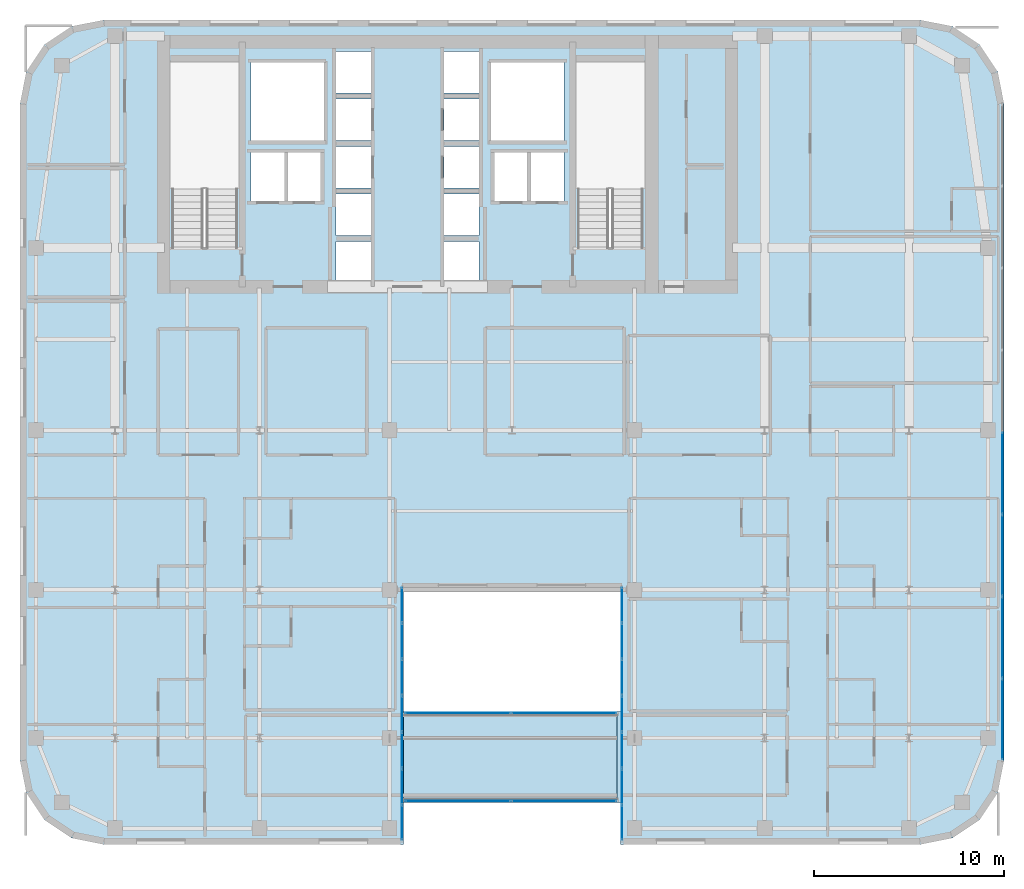
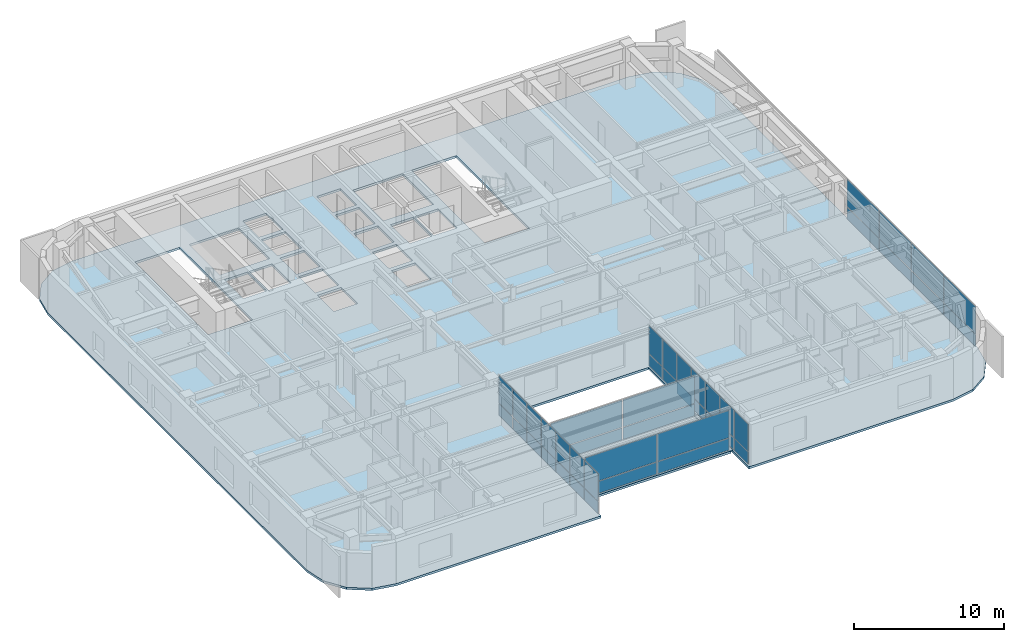
# One storey, part 11 of 20: 45 plates, 2 slabs, 5 elements without a shape of their own.
"""IFC4 building model written with IfcOpenShell, lengths in metres."""

from ifc_helpers import new_model, si_unit, direction, frame, origin, origin_2d, place, context, subcontext, project, spatial, polyline, rectangle, outline, extrude, source, transform, mapped, material, layer, layer_set, type_object, type_shapes, element, aggregate, save


model = new_model("IFC4")

# Units and contexts
model_context = context("Model", 3, precision=1e-05, world=origin(), true_north=direction((0.0, 1.0)))
body_context = subcontext(model_context, "Body", "Model", "MODEL_VIEW")
ifc_project = project(units=[si_unit("LENGTHUNIT", "METRE"), si_unit("AREAUNIT", "SQUARE_METRE"), si_unit("VOLUMEUNIT", "CUBIC_METRE"), si_unit("PLANEANGLEUNIT", "RADIAN"), si_unit("MASSUNIT", "GRAM", prefix="KILO")], contexts=[model_context])

# Site, building, storey
site_placement = place(None, origin())
site = spatial("IfcSite", under=ifc_project, at=site_placement, CompositionType="ELEMENT")
building_placement = place(site_placement, origin())
building = spatial("IfcBuilding", under=site, at=building_placement, Name="Tolvann Quenvar Hotel", CompositionType="ELEMENT")
storey_placement = place(building_placement, frame((0.0, 0.0, 171.89990234375)))
storey = spatial("IfcBuildingStorey", under=building, at=storey_placement, Name="L45", CompositionType="ELEMENT", Elevation=171.89990234375)

# Slabs
ifc_material_1 = material(Name="Concrete N40 (40 MPa)", Category="concrete")
ifc_layer_1 = layer(ifc_material_1, 0.179931640625)
ifc_layer_set_1 = layer_set([ifc_layer_1], Name="Concrete N40 (40 MPa)")
slab_type = type_object("IfcSlabType", Name="SLAB_TWR_180", PredefinedType="FLOOR", material=ifc_layer_set_1)
slab_1_placement = place(storey_placement, frame((0.0, 0.0, -0.179931640625)))
element("IfcSlab", 1, at=slab_1_placement, inside=storey, type_object=slab_type, Name="Level L45 Structural Floor Slab", PredefinedType="FLOOR", context=body_context, shape_type="SweptSolid", body=[
    extrude(outline(polyline([(2.60009765625, 7.0), (2.934814453125, 5.316162109375), (3.888671875, 3.888671875), (5.316162109375, 2.934814453125), (7.0, 2.60009765625), (22.800048828125, 2.60009765625), (22.800048828125, 16.0), (34.199951171875, 16.0), (34.199951171875, 2.60009765625), (50.0, 2.60009765625), (51.683837890625, 2.934814453125), (53.111328125, 3.888671875), (54.065185546875, 5.316162109375), (54.39990234375, 7.0), (54.39990234375, 41.60009765625), (54.065185546875, 43.28369140625), (53.111328125, 44.711181640625), (51.683837890625, 45.6650390625), (50.0, 46.0), (7.0, 46.0), (5.316162109375, 45.6650390625), (3.888671875, 44.711181640625), (2.934814453125, 43.28369140625), (2.60009765625, 41.60009765625), (2.60009765625, 7.0)]), holes=[polyline([(31.949951171875, 34.02490234375), (31.949951171875, 43.800048828125), (35.39990234375, 43.800048828125), (35.39990234375, 34.02490234375), (31.949951171875, 34.02490234375)]), polyline([(29.449951171875, 39.02001953125), (31.25, 39.02001953125), (31.25, 36.47998046875), (29.449951171875, 36.47998046875), (29.449951171875, 39.02001953125)]), polyline([(31.25, 43.75), (31.25, 39.64990234375), (27.39990234375, 39.64990234375), (27.39990234375, 43.75), (31.25, 43.75)]), polyline([(27.574951171875, 39.02001953125), (29.324951171875, 39.02001953125), (29.324951171875, 36.47998046875), (27.574951171875, 36.47998046875), (27.574951171875, 39.02001953125)]), polyline([(26.77001953125, 44.340087890625), (26.77001953125, 42.159912109375), (24.929931640625, 42.159912109375), (24.929931640625, 44.340087890625), (26.77001953125, 44.340087890625)]), polyline([(24.929931640625, 41.840087890625), (26.77001953125, 41.840087890625), (26.77001953125, 39.659912109375), (24.929931640625, 39.659912109375), (24.929931640625, 41.840087890625)]), polyline([(24.929931640625, 39.340087890625), (26.77001953125, 39.340087890625), (26.77001953125, 37.159912109375), (24.929931640625, 37.159912109375), (24.929931640625, 39.340087890625)]), polyline([(24.929931640625, 36.840087890625), (26.77001953125, 36.840087890625), (26.77001953125, 34.659912109375), (24.929931640625, 34.659912109375), (24.929931640625, 36.840087890625)]), polyline([(24.929931640625, 34.340087890625), (26.77001953125, 34.340087890625), (26.77001953125, 32.159912109375), (24.929931640625, 32.159912109375), (24.929931640625, 34.340087890625)]), polyline([(21.070068359375, 44.340087890625), (21.070068359375, 42.159912109375), (19.22998046875, 42.159912109375), (19.22998046875, 44.340087890625), (21.070068359375, 44.340087890625)]), polyline([(19.22998046875, 41.840087890625), (21.070068359375, 41.840087890625), (21.070068359375, 39.659912109375), (19.22998046875, 39.659912109375), (19.22998046875, 41.840087890625)]), polyline([(19.22998046875, 39.340087890625), (21.070068359375, 39.340087890625), (21.070068359375, 37.159912109375), (19.22998046875, 37.159912109375), (19.22998046875, 39.340087890625)]), polyline([(19.22998046875, 36.840087890625), (21.070068359375, 36.840087890625), (21.070068359375, 34.659912109375), (19.22998046875, 34.659912109375), (19.22998046875, 36.840087890625)]), polyline([(19.22998046875, 34.340087890625), (21.070068359375, 34.340087890625), (21.070068359375, 32.159912109375), (19.22998046875, 32.159912109375), (19.22998046875, 34.340087890625)]), polyline([(18.60009765625, 43.75), (18.60009765625, 39.64990234375), (14.75, 39.64990234375), (14.75, 43.75), (18.60009765625, 43.75)]), polyline([(16.675048828125, 39.02001953125), (18.425048828125, 39.02001953125), (18.425048828125, 36.47998046875), (16.675048828125, 36.47998046875), (16.675048828125, 39.02001953125)]), polyline([(14.75, 39.02001953125), (16.550048828125, 39.02001953125), (16.550048828125, 36.47998046875), (14.75, 36.47998046875), (14.75, 39.02001953125)]), polyline([(10.60009765625, 34.02490234375), (10.60009765625, 43.800048828125), (14.050048828125, 43.800048828125), (14.050048828125, 34.02490234375), (10.60009765625, 34.02490234375)])]), origin(), (0.0, 0.0, 1.0), 0.179931640625),
])
slab_2_placement = place(storey_placement, frame((0.0, 0.0, -0.179931640625)))
element("IfcSlab", 2, at=slab_2_placement, inside=storey, type_object=slab_type, Name="Level L45 Skybridge Deck Slab", PredefinedType="FLOOR", context=body_context, shape_type="SweptSolid", body=[
    extrude(outline(polyline([(22.800048828125, 4.800048828125), (34.080078125, 4.800048828125), (34.080078125, 9.60009765625), (22.800048828125, 9.60009765625), (22.800048828125, 4.800048828125)])), origin(), (0.0, 0.0, 1.0), 0.179931640625),
])

# Plate
ifc_material_2 = material(Name="Steel Grade 350", Category="steel")
ifc_layer_2 = layer(ifc_material_2, 0.02490234375)
ifc_layer_set_2 = layer_set([ifc_layer_2], Name="Steel Grade 350")
plate_type_1 = type_object("IfcPlateType", Name="PLT_MJ_4800", PredefinedType="SHEET", material=ifc_layer_set_2)
shared_shape_1 = source(origin(), body_context, "Body", "SweptSolid", [
    extrude(rectangle(XDim=0.239990234375, YDim=4.800048828125, at=origin_2d()), origin(), (0.0, 0.0, 1.0), 0.02490234375),
])
type_shapes(plate_type_1, [shared_shape_1])
plate_1_placement = place(storey_placement, frame((34.139892578125, 7.199951171875, -0.02490234375), z_axis=(0.0, 0.0, 1.0), x_axis=(1.0, 0.0, 0.0)))
element("IfcPlate", 3, at=plate_1_placement, inside=storey, type_object=plate_type_1, Name="Skybridge Seismic Movement Joint Cover Plate (L45)", PredefinedType="SHEET", context=body_context, shape_type="MappedRepresentation", body=[
    mapped(shared_shape_1, transform((0.0, 0.0, 0.0), x_axis=(1.0, 0.0, 0.0), y_axis=(0.0, 1.0, 0.0), z_axis=(0.0, 0.0, 1.0), scale=1.0)),
])

# Curtain wall, plates
ifc_material_3 = material(Name="Thermally broken anodised architectural aluminium 6063-T6 and laminated low-E glass", Category="aluminium")
ifc_layer_3 = layer(ifc_material_3, 0.179931640625)
ifc_layer_set_3 = layer_set([ifc_layer_3], Name="Thermally broken anodised architectural aluminium 6063-T6 and laminated low-E glass")
curtain_wall_type_1 = type_object("IfcCurtainWallType", Name="CW_SYS_SLOT_03", PredefinedType="USERDEFINED", material=ifc_layer_set_3)
curtain_wall_1_placement = place(storey_placement, origin())
curtain_wall_1 = element("IfcCurtainWall", 4, at=curtain_wall_1_placement, inside=storey, type_object=curtain_wall_type_1, Name="Curtain Wall CW-SLOT-03 (CWR-L45-E05)", ObjectType="UNITISED CURTAIN WALL", PredefinedType="USERDEFINED")
ifc_material_4 = material(Name="Low-iron laminated double glazing with solar-control coating", Category="glass")
ifc_layer_4 = layer(ifc_material_4, 0.028076171875)
ifc_layer_set_4 = layer_set([ifc_layer_4], Name="Low-iron laminated double glazing with solar-control coating")
plate_type_2 = type_object("IfcPlateType", Name="CW_PAN_VISION_28", PredefinedType="CURTAIN_PANEL", material=ifc_layer_set_4)
shared_shape_2 = source(origin(), body_context, "Body", "SweptSolid", [
    extrude(rectangle(XDim=1.809326171875, YDim=0.028076171875, at=origin_2d()), origin(), (0.0, 0.0, 1.0), 0.9599609375),
])
plate_2_placement = place(storey_placement, frame((22.7099609375, 3.749755859375, 0.06005859375), z_axis=(0.0, 0.0, 1.0), x_axis=(0.0, 1.0, 0.0)))
plate_2 = element("IfcPlate", 5, at=plate_2_placement, type_object=plate_type_2, Name="CW-SLOT-03 panel 1.1", PredefinedType="CURTAIN_PANEL", context=body_context, shape_type="MappedRepresentation", body=[
    mapped(shared_shape_2, transform((0.0, 0.0, 0.0), x_axis=(1.0, 0.0, 0.0), y_axis=(0.0, 1.0, 0.0), z_axis=(0.0, 0.0, 1.0), scale=1.0)),
])
plate_3_placement = place(storey_placement, frame((22.7099609375, 15.200439453125, 0.06005859375), z_axis=(0.0, 0.0, 1.0), x_axis=(0.0, 1.0, 0.0)))
plate_3 = element("IfcPlate", 6, at=plate_3_placement, type_object=plate_type_2, Name="CW-SLOT-03 panel 7.1", PredefinedType="CURTAIN_PANEL", context=body_context, shape_type="MappedRepresentation", body=[
    mapped(shared_shape_2, transform((0.0, 0.0, 0.0), x_axis=(1.0, 0.0, 0.0), y_axis=(0.0, 1.0, 0.0), z_axis=(0.0, 0.0, 1.0), scale=1.0)),
])

curtain_wall_2_placement = place(storey_placement, origin())
curtain_wall_2 = element("IfcCurtainWall", 7, at=curtain_wall_2_placement, inside=storey, type_object=curtain_wall_type_1, Name="Curtain Wall CW-SLOT-03 (CWR-L45-E07)", ObjectType="UNITISED CURTAIN WALL", PredefinedType="USERDEFINED")
plate_4_placement = place(storey_placement, frame((34.2900390625, 15.200439453125, 0.06005859375), z_axis=(0.0, 0.0, 1.0), x_axis=(0.0, -1.0, 0.0)))
plate_4 = element("IfcPlate", 8, at=plate_4_placement, type_object=plate_type_2, Name="CW-SLOT-03 panel 1.1", PredefinedType="CURTAIN_PANEL", context=body_context, shape_type="MappedRepresentation", body=[
    mapped(shared_shape_2, transform((0.0, 0.0, 0.0), x_axis=(1.0, 0.0, 0.0), y_axis=(0.0, 1.0, 0.0), z_axis=(0.0, 0.0, 1.0), scale=1.0)),
])
plate_5_placement = place(storey_placement, frame((34.2900390625, 3.749755859375, 0.06005859375), z_axis=(0.0, 0.0, 1.0), x_axis=(0.0, -1.0, 0.0)))
plate_5 = element("IfcPlate", 9, at=plate_5_placement, type_object=plate_type_2, Name="CW-SLOT-03 panel 7.1", PredefinedType="CURTAIN_PANEL", context=body_context, shape_type="MappedRepresentation", body=[
    mapped(shared_shape_2, transform((0.0, 0.0, 0.0), x_axis=(1.0, 0.0, 0.0), y_axis=(0.0, 1.0, 0.0), z_axis=(0.0, 0.0, 1.0), scale=1.0)),
])

# Plate
shared_shape_3 = source(origin(), body_context, "Body", "SweptSolid", [
    extrude(rectangle(XDim=1.809326171875, YDim=0.028076171875, at=origin_2d()), origin(), (0.0, 0.0, 1.0), 2.22998046875),
])
plate_6_placement = place(storey_placement, frame((22.7099609375, 3.749755859375, 1.080078125), z_axis=(0.0, 0.0, 1.0), x_axis=(0.0, 1.0, 0.0)))
plate_6 = element("IfcPlate", 10, at=plate_6_placement, type_object=plate_type_2, Name="CW-SLOT-03 panel 1.2", PredefinedType="CURTAIN_PANEL", context=body_context, shape_type="MappedRepresentation", body=[
    mapped(shared_shape_3, transform((0.0, 0.0, 0.0), x_axis=(1.0, 0.0, 0.0), y_axis=(0.0, 1.0, 0.0), z_axis=(0.0, 0.0, 1.0), scale=1.0)),
])

plate_7_placement = place(storey_placement, frame((22.7099609375, 15.200439453125, 1.080078125), z_axis=(0.0, 0.0, 1.0), x_axis=(0.0, 1.0, 0.0)))
plate_7 = element("IfcPlate", 11, at=plate_7_placement, type_object=plate_type_2, Name="CW-SLOT-03 panel 7.2", PredefinedType="CURTAIN_PANEL", context=body_context, shape_type="MappedRepresentation", body=[
    mapped(shared_shape_3, transform((0.0, 0.0, 0.0), x_axis=(1.0, 0.0, 0.0), y_axis=(0.0, 1.0, 0.0), z_axis=(0.0, 0.0, 1.0), scale=1.0)),
])

plate_8_placement = place(storey_placement, frame((34.2900390625, 15.200439453125, 1.080078125), z_axis=(0.0, 0.0, 1.0), x_axis=(0.0, -1.0, 0.0)))
plate_8 = element("IfcPlate", 12, at=plate_8_placement, type_object=plate_type_2, Name="CW-SLOT-03 panel 1.2", PredefinedType="CURTAIN_PANEL", context=body_context, shape_type="MappedRepresentation", body=[
    mapped(shared_shape_3, transform((0.0, 0.0, 0.0), x_axis=(1.0, 0.0, 0.0), y_axis=(0.0, 1.0, 0.0), z_axis=(0.0, 0.0, 1.0), scale=1.0)),
])

plate_9_placement = place(storey_placement, frame((34.2900390625, 3.749755859375, 1.080078125), z_axis=(0.0, 0.0, 1.0), x_axis=(0.0, -1.0, 0.0)))
plate_9 = element("IfcPlate", 13, at=plate_9_placement, type_object=plate_type_2, Name="CW-SLOT-03 panel 7.2", PredefinedType="CURTAIN_PANEL", context=body_context, shape_type="MappedRepresentation", body=[
    mapped(shared_shape_3, transform((0.0, 0.0, 0.0), x_axis=(1.0, 0.0, 0.0), y_axis=(0.0, 1.0, 0.0), z_axis=(0.0, 0.0, 1.0), scale=1.0)),
])

shared_shape_4 = source(origin(), body_context, "Body", "SweptSolid", [
    extrude(rectangle(XDim=1.84423828125, YDim=0.028076171875, at=origin_2d()), origin(), (0.0, 0.0, 1.0), 0.9599609375),
])
plate_10_placement = place(storey_placement, frame((22.7099609375, 5.646484375, 0.06005859375), z_axis=(0.0, 0.0, 1.0), x_axis=(0.0, 1.0, 0.0)))
plate_10 = element("IfcPlate", 14, at=plate_10_placement, type_object=plate_type_2, Name="CW-SLOT-03 panel 2.1", PredefinedType="CURTAIN_PANEL", context=body_context, shape_type="MappedRepresentation", body=[
    mapped(shared_shape_4, transform((0.0, 0.0, 0.0), x_axis=(1.0, 0.0, 0.0), y_axis=(0.0, 1.0, 0.0), z_axis=(0.0, 0.0, 1.0), scale=1.0)),
])

plate_11_placement = place(storey_placement, frame((22.7099609375, 7.560791015625, 0.06005859375), z_axis=(0.0, 0.0, 1.0), x_axis=(0.0, 1.0, 0.0)))
plate_11 = element("IfcPlate", 15, at=plate_11_placement, type_object=plate_type_2, Name="CW-SLOT-03 panel 3.1", PredefinedType="CURTAIN_PANEL", context=body_context, shape_type="MappedRepresentation", body=[
    mapped(shared_shape_4, transform((0.0, 0.0, 0.0), x_axis=(1.0, 0.0, 0.0), y_axis=(0.0, 1.0, 0.0), z_axis=(0.0, 0.0, 1.0), scale=1.0)),
])

plate_12_placement = place(storey_placement, frame((22.7099609375, 9.47509765625, 0.06005859375), z_axis=(0.0, 0.0, 1.0), x_axis=(0.0, 1.0, 0.0)))
plate_12 = element("IfcPlate", 16, at=plate_12_placement, type_object=plate_type_2, Name="CW-SLOT-03 panel 4.1", PredefinedType="CURTAIN_PANEL", context=body_context, shape_type="MappedRepresentation", body=[
    mapped(shared_shape_4, transform((0.0, 0.0, 0.0), x_axis=(1.0, 0.0, 0.0), y_axis=(0.0, 1.0, 0.0), z_axis=(0.0, 0.0, 1.0), scale=1.0)),
])

plate_13_placement = place(storey_placement, frame((22.7099609375, 11.389404296875, 0.06005859375), z_axis=(0.0, 0.0, 1.0), x_axis=(0.0, 1.0, 0.0)))
plate_13 = element("IfcPlate", 17, at=plate_13_placement, type_object=plate_type_2, Name="CW-SLOT-03 panel 5.1", PredefinedType="CURTAIN_PANEL", context=body_context, shape_type="MappedRepresentation", body=[
    mapped(shared_shape_4, transform((0.0, 0.0, 0.0), x_axis=(1.0, 0.0, 0.0), y_axis=(0.0, 1.0, 0.0), z_axis=(0.0, 0.0, 1.0), scale=1.0)),
])

plate_14_placement = place(storey_placement, frame((22.7099609375, 13.303466796875, 0.06005859375), z_axis=(0.0, 0.0, 1.0), x_axis=(0.0, 1.0, 0.0)))
plate_14 = element("IfcPlate", 18, at=plate_14_placement, type_object=plate_type_2, Name="CW-SLOT-03 panel 6.1", PredefinedType="CURTAIN_PANEL", context=body_context, shape_type="MappedRepresentation", body=[
    mapped(shared_shape_4, transform((0.0, 0.0, 0.0), x_axis=(1.0, 0.0, 0.0), y_axis=(0.0, 1.0, 0.0), z_axis=(0.0, 0.0, 1.0), scale=1.0)),
])

plate_15_placement = place(storey_placement, frame((34.2900390625, 13.303466796875, 0.06005859375), z_axis=(0.0, 0.0, 1.0), x_axis=(0.0, -1.0, 0.0)))
plate_15 = element("IfcPlate", 19, at=plate_15_placement, type_object=plate_type_2, Name="CW-SLOT-03 panel 2.1", PredefinedType="CURTAIN_PANEL", context=body_context, shape_type="MappedRepresentation", body=[
    mapped(shared_shape_4, transform((0.0, 0.0, 0.0), x_axis=(1.0, 0.0, 0.0), y_axis=(0.0, 1.0, 0.0), z_axis=(0.0, 0.0, 1.0), scale=1.0)),
])

plate_16_placement = place(storey_placement, frame((34.2900390625, 11.389404296875, 0.06005859375), z_axis=(0.0, 0.0, 1.0), x_axis=(0.0, -1.0, 0.0)))
plate_16 = element("IfcPlate", 20, at=plate_16_placement, type_object=plate_type_2, Name="CW-SLOT-03 panel 3.1", PredefinedType="CURTAIN_PANEL", context=body_context, shape_type="MappedRepresentation", body=[
    mapped(shared_shape_4, transform((0.0, 0.0, 0.0), x_axis=(1.0, 0.0, 0.0), y_axis=(0.0, 1.0, 0.0), z_axis=(0.0, 0.0, 1.0), scale=1.0)),
])

plate_17_placement = place(storey_placement, frame((34.2900390625, 9.47509765625, 0.06005859375), z_axis=(0.0, 0.0, 1.0), x_axis=(0.0, -1.0, 0.0)))
plate_17 = element("IfcPlate", 21, at=plate_17_placement, type_object=plate_type_2, Name="CW-SLOT-03 panel 4.1", PredefinedType="CURTAIN_PANEL", context=body_context, shape_type="MappedRepresentation", body=[
    mapped(shared_shape_4, transform((0.0, 0.0, 0.0), x_axis=(1.0, 0.0, 0.0), y_axis=(0.0, 1.0, 0.0), z_axis=(0.0, 0.0, 1.0), scale=1.0)),
])

plate_18_placement = place(storey_placement, frame((34.2900390625, 7.560791015625, 0.06005859375), z_axis=(0.0, 0.0, 1.0), x_axis=(0.0, -1.0, 0.0)))
plate_18 = element("IfcPlate", 22, at=plate_18_placement, type_object=plate_type_2, Name="CW-SLOT-03 panel 5.1", PredefinedType="CURTAIN_PANEL", context=body_context, shape_type="MappedRepresentation", body=[
    mapped(shared_shape_4, transform((0.0, 0.0, 0.0), x_axis=(1.0, 0.0, 0.0), y_axis=(0.0, 1.0, 0.0), z_axis=(0.0, 0.0, 1.0), scale=1.0)),
])

plate_19_placement = place(storey_placement, frame((34.2900390625, 5.646484375, 0.06005859375), z_axis=(0.0, 0.0, 1.0), x_axis=(0.0, -1.0, 0.0)))
plate_19 = element("IfcPlate", 23, at=plate_19_placement, type_object=plate_type_2, Name="CW-SLOT-03 panel 6.1", PredefinedType="CURTAIN_PANEL", context=body_context, shape_type="MappedRepresentation", body=[
    mapped(shared_shape_4, transform((0.0, 0.0, 0.0), x_axis=(1.0, 0.0, 0.0), y_axis=(0.0, 1.0, 0.0), z_axis=(0.0, 0.0, 1.0), scale=1.0)),
])

shared_shape_5 = source(origin(), body_context, "Body", "SweptSolid", [
    extrude(rectangle(XDim=1.84423828125, YDim=0.028076171875, at=origin_2d()), origin(), (0.0, 0.0, 1.0), 2.22998046875),
])
plate_20_placement = place(storey_placement, frame((22.7099609375, 5.646484375, 1.080078125), z_axis=(0.0, 0.0, 1.0), x_axis=(0.0, 1.0, 0.0)))
plate_20 = element("IfcPlate", 24, at=plate_20_placement, type_object=plate_type_2, Name="CW-SLOT-03 panel 2.2", PredefinedType="CURTAIN_PANEL", context=body_context, shape_type="MappedRepresentation", body=[
    mapped(shared_shape_5, transform((0.0, 0.0, 0.0), x_axis=(1.0, 0.0, 0.0), y_axis=(0.0, 1.0, 0.0), z_axis=(0.0, 0.0, 1.0), scale=1.0)),
])

plate_21_placement = place(storey_placement, frame((22.7099609375, 7.560791015625, 1.080078125), z_axis=(0.0, 0.0, 1.0), x_axis=(0.0, 1.0, 0.0)))
plate_21 = element("IfcPlate", 25, at=plate_21_placement, type_object=plate_type_2, Name="CW-SLOT-03 panel 3.2", PredefinedType="CURTAIN_PANEL", context=body_context, shape_type="MappedRepresentation", body=[
    mapped(shared_shape_5, transform((0.0, 0.0, 0.0), x_axis=(1.0, 0.0, 0.0), y_axis=(0.0, 1.0, 0.0), z_axis=(0.0, 0.0, 1.0), scale=1.0)),
])

plate_22_placement = place(storey_placement, frame((22.7099609375, 9.47509765625, 1.080078125), z_axis=(0.0, 0.0, 1.0), x_axis=(0.0, 1.0, 0.0)))
plate_22 = element("IfcPlate", 26, at=plate_22_placement, type_object=plate_type_2, Name="CW-SLOT-03 panel 4.2", PredefinedType="CURTAIN_PANEL", context=body_context, shape_type="MappedRepresentation", body=[
    mapped(shared_shape_5, transform((0.0, 0.0, 0.0), x_axis=(1.0, 0.0, 0.0), y_axis=(0.0, 1.0, 0.0), z_axis=(0.0, 0.0, 1.0), scale=1.0)),
])

plate_23_placement = place(storey_placement, frame((22.7099609375, 11.389404296875, 1.080078125), z_axis=(0.0, 0.0, 1.0), x_axis=(0.0, 1.0, 0.0)))
plate_23 = element("IfcPlate", 27, at=plate_23_placement, type_object=plate_type_2, Name="CW-SLOT-03 panel 5.2", PredefinedType="CURTAIN_PANEL", context=body_context, shape_type="MappedRepresentation", body=[
    mapped(shared_shape_5, transform((0.0, 0.0, 0.0), x_axis=(1.0, 0.0, 0.0), y_axis=(0.0, 1.0, 0.0), z_axis=(0.0, 0.0, 1.0), scale=1.0)),
])

plate_24_placement = place(storey_placement, frame((22.7099609375, 13.303466796875, 1.080078125), z_axis=(0.0, 0.0, 1.0), x_axis=(0.0, 1.0, 0.0)))
plate_24 = element("IfcPlate", 28, at=plate_24_placement, type_object=plate_type_2, Name="CW-SLOT-03 panel 6.2", PredefinedType="CURTAIN_PANEL", context=body_context, shape_type="MappedRepresentation", body=[
    mapped(shared_shape_5, transform((0.0, 0.0, 0.0), x_axis=(1.0, 0.0, 0.0), y_axis=(0.0, 1.0, 0.0), z_axis=(0.0, 0.0, 1.0), scale=1.0)),
])

aggregate(curtain_wall_1, [plate_2, plate_6, plate_10, plate_20, plate_11, plate_21, plate_12, plate_22, plate_13, plate_23, plate_14, plate_24, plate_3, plate_7])

plate_25_placement = place(storey_placement, frame((34.2900390625, 13.303466796875, 1.080078125), z_axis=(0.0, 0.0, 1.0), x_axis=(0.0, -1.0, 0.0)))
plate_25 = element("IfcPlate", 29, at=plate_25_placement, type_object=plate_type_2, Name="CW-SLOT-03 panel 2.2", PredefinedType="CURTAIN_PANEL", context=body_context, shape_type="MappedRepresentation", body=[
    mapped(shared_shape_5, transform((0.0, 0.0, 0.0), x_axis=(1.0, 0.0, 0.0), y_axis=(0.0, 1.0, 0.0), z_axis=(0.0, 0.0, 1.0), scale=1.0)),
])

plate_26_placement = place(storey_placement, frame((34.2900390625, 11.389404296875, 1.080078125), z_axis=(0.0, 0.0, 1.0), x_axis=(0.0, -1.0, 0.0)))
plate_26 = element("IfcPlate", 30, at=plate_26_placement, type_object=plate_type_2, Name="CW-SLOT-03 panel 3.2", PredefinedType="CURTAIN_PANEL", context=body_context, shape_type="MappedRepresentation", body=[
    mapped(shared_shape_5, transform((0.0, 0.0, 0.0), x_axis=(1.0, 0.0, 0.0), y_axis=(0.0, 1.0, 0.0), z_axis=(0.0, 0.0, 1.0), scale=1.0)),
])

plate_27_placement = place(storey_placement, frame((34.2900390625, 9.47509765625, 1.080078125), z_axis=(0.0, 0.0, 1.0), x_axis=(0.0, -1.0, 0.0)))
plate_27 = element("IfcPlate", 31, at=plate_27_placement, type_object=plate_type_2, Name="CW-SLOT-03 panel 4.2", PredefinedType="CURTAIN_PANEL", context=body_context, shape_type="MappedRepresentation", body=[
    mapped(shared_shape_5, transform((0.0, 0.0, 0.0), x_axis=(1.0, 0.0, 0.0), y_axis=(0.0, 1.0, 0.0), z_axis=(0.0, 0.0, 1.0), scale=1.0)),
])

plate_28_placement = place(storey_placement, frame((34.2900390625, 7.560791015625, 1.080078125), z_axis=(0.0, 0.0, 1.0), x_axis=(0.0, -1.0, 0.0)))
plate_28 = element("IfcPlate", 32, at=plate_28_placement, type_object=plate_type_2, Name="CW-SLOT-03 panel 5.2", PredefinedType="CURTAIN_PANEL", context=body_context, shape_type="MappedRepresentation", body=[
    mapped(shared_shape_5, transform((0.0, 0.0, 0.0), x_axis=(1.0, 0.0, 0.0), y_axis=(0.0, 1.0, 0.0), z_axis=(0.0, 0.0, 1.0), scale=1.0)),
])

plate_29_placement = place(storey_placement, frame((34.2900390625, 5.646484375, 1.080078125), z_axis=(0.0, 0.0, 1.0), x_axis=(0.0, -1.0, 0.0)))
plate_29 = element("IfcPlate", 33, at=plate_29_placement, type_object=plate_type_2, Name="CW-SLOT-03 panel 6.2", PredefinedType="CURTAIN_PANEL", context=body_context, shape_type="MappedRepresentation", body=[
    mapped(shared_shape_5, transform((0.0, 0.0, 0.0), x_axis=(1.0, 0.0, 0.0), y_axis=(0.0, 1.0, 0.0), z_axis=(0.0, 0.0, 1.0), scale=1.0)),
])

aggregate(curtain_wall_2, [plate_4, plate_8, plate_15, plate_25, plate_16, plate_26, plate_17, plate_27, plate_18, plate_28, plate_19, plate_29, plate_5, plate_9])

# Curtain wall, plates
ifc_layer_5 = layer(ifc_material_3, 0.179931640625)
ifc_layer_set_5 = layer_set([ifc_layer_5], Name="Thermally broken anodised architectural aluminium 6063-T6 and laminated low-E glass")
curtain_wall_type_2 = type_object("IfcCurtainWallType", Name="CW_SYS_BAND_04", PredefinedType="USERDEFINED", material=ifc_layer_set_5)
curtain_wall_3_placement = place(storey_placement, origin())
curtain_wall_3 = element("IfcCurtainWall", 34, at=curtain_wall_3_placement, inside=storey, type_object=curtain_wall_type_2, Name="Curtain Wall CW-BAND-04 (CWR-L45-E13)", ObjectType="UNITISED CURTAIN WALL", PredefinedType="USERDEFINED")
shared_shape_6 = source(origin(), body_context, "Body", "SweptSolid", [
    extrude(rectangle(XDim=4.2158203125, YDim=0.028076171875, at=origin_2d()), origin(), (0.0, 0.0, 1.0), 0.9599609375),
])
plate_30_placement = place(storey_placement, frame((54.31005859375, 9.195068359375, 0.06005859375), z_axis=(0.0, 0.0, 1.0), x_axis=(0.0, 1.0, 0.0)))
plate_30 = element("IfcPlate", 35, at=plate_30_placement, type_object=plate_type_2, Name="CW-BAND-04 panel 1.1", PredefinedType="CURTAIN_PANEL", context=body_context, shape_type="MappedRepresentation", body=[
    mapped(shared_shape_6, transform((0.0, 0.0, 0.0), x_axis=(1.0, 0.0, 0.0), y_axis=(0.0, 1.0, 0.0), z_axis=(0.0, 0.0, 1.0), scale=1.0)),
])
shared_shape_7 = source(origin(), body_context, "Body", "SweptSolid", [
    extrude(rectangle(XDim=4.2158203125, YDim=0.028076171875, at=origin_2d()), origin(), (0.0, 0.0, 1.0), 2.22998046875),
])
plate_31_placement = place(storey_placement, frame((54.31005859375, 9.195068359375, 1.080078125), z_axis=(0.0, 0.0, 1.0), x_axis=(0.0, 1.0, 0.0)))
plate_31 = element("IfcPlate", 36, at=plate_31_placement, type_object=plate_type_2, Name="CW-BAND-04 panel 1.2", PredefinedType="CURTAIN_PANEL", context=body_context, shape_type="MappedRepresentation", body=[
    mapped(shared_shape_7, transform((0.0, 0.0, 0.0), x_axis=(1.0, 0.0, 0.0), y_axis=(0.0, 1.0, 0.0), z_axis=(0.0, 0.0, 1.0), scale=1.0)),
])
shared_shape_8 = source(origin(), body_context, "Body", "SweptSolid", [
    extrude(rectangle(XDim=4.250732421875, YDim=0.028076171875, at=origin_2d()), origin(), (0.0, 0.0, 1.0), 0.9599609375),
])
plate_32_placement = place(storey_placement, frame((54.31005859375, 13.498291015625, 0.06005859375), z_axis=(0.0, 0.0, 1.0), x_axis=(0.0, 1.0, 0.0)))
plate_32 = element("IfcPlate", 37, at=plate_32_placement, type_object=plate_type_2, Name="CW-BAND-04 panel 2.1", PredefinedType="CURTAIN_PANEL", context=body_context, shape_type="MappedRepresentation", body=[
    mapped(shared_shape_8, transform((0.0, 0.0, 0.0), x_axis=(1.0, 0.0, 0.0), y_axis=(0.0, 1.0, 0.0), z_axis=(0.0, 0.0, 1.0), scale=1.0)),
])
plate_33_placement = place(storey_placement, frame((54.31005859375, 17.81884765625, 0.06005859375), z_axis=(0.0, 0.0, 1.0), x_axis=(0.0, 1.0, 0.0)))
plate_33 = element("IfcPlate", 38, at=plate_33_placement, type_object=plate_type_2, Name="CW-BAND-04 panel 3.1", PredefinedType="CURTAIN_PANEL", context=body_context, shape_type="MappedRepresentation", body=[
    mapped(shared_shape_8, transform((0.0, 0.0, 0.0), x_axis=(1.0, 0.0, 0.0), y_axis=(0.0, 1.0, 0.0), z_axis=(0.0, 0.0, 1.0), scale=1.0)),
])
plate_34_placement = place(storey_placement, frame((54.31005859375, 22.1396484375, 0.06005859375), z_axis=(0.0, 0.0, 1.0), x_axis=(0.0, 1.0, 0.0)))
plate_34 = element("IfcPlate", 39, at=plate_34_placement, type_object=plate_type_2, Name="CW-BAND-04 panel 4.1", PredefinedType="CURTAIN_PANEL", context=body_context, shape_type="MappedRepresentation", body=[
    mapped(shared_shape_8, transform((0.0, 0.0, 0.0), x_axis=(1.0, 0.0, 0.0), y_axis=(0.0, 1.0, 0.0), z_axis=(0.0, 0.0, 1.0), scale=1.0)),
])
shared_shape_9 = source(origin(), body_context, "Body", "SweptSolid", [
    extrude(rectangle(XDim=4.250732421875, YDim=0.028076171875, at=origin_2d()), origin(), (0.0, 0.0, 1.0), 2.22998046875),
])
plate_35_placement = place(storey_placement, frame((54.31005859375, 13.498291015625, 1.080078125), z_axis=(0.0, 0.0, 1.0), x_axis=(0.0, 1.0, 0.0)))
plate_35 = element("IfcPlate", 40, at=plate_35_placement, type_object=plate_type_2, Name="CW-BAND-04 panel 2.2", PredefinedType="CURTAIN_PANEL", context=body_context, shape_type="MappedRepresentation", body=[
    mapped(shared_shape_9, transform((0.0, 0.0, 0.0), x_axis=(1.0, 0.0, 0.0), y_axis=(0.0, 1.0, 0.0), z_axis=(0.0, 0.0, 1.0), scale=1.0)),
])
plate_36_placement = place(storey_placement, frame((54.31005859375, 17.81884765625, 1.080078125), z_axis=(0.0, 0.0, 1.0), x_axis=(0.0, 1.0, 0.0)))
plate_36 = element("IfcPlate", 41, at=plate_36_placement, type_object=plate_type_2, Name="CW-BAND-04 panel 3.2", PredefinedType="CURTAIN_PANEL", context=body_context, shape_type="MappedRepresentation", body=[
    mapped(shared_shape_9, transform((0.0, 0.0, 0.0), x_axis=(1.0, 0.0, 0.0), y_axis=(0.0, 1.0, 0.0), z_axis=(0.0, 0.0, 1.0), scale=1.0)),
])
plate_37_placement = place(storey_placement, frame((54.31005859375, 22.1396484375, 1.080078125), z_axis=(0.0, 0.0, 1.0), x_axis=(0.0, 1.0, 0.0)))
plate_37 = element("IfcPlate", 42, at=plate_37_placement, type_object=plate_type_2, Name="CW-BAND-04 panel 4.2", PredefinedType="CURTAIN_PANEL", context=body_context, shape_type="MappedRepresentation", body=[
    mapped(shared_shape_9, transform((0.0, 0.0, 0.0), x_axis=(1.0, 0.0, 0.0), y_axis=(0.0, 1.0, 0.0), z_axis=(0.0, 0.0, 1.0), scale=1.0)),
])
aggregate(curtain_wall_3, [plate_30, plate_31, plate_32, plate_35, plate_33, plate_36, plate_34, plate_37])

curtain_wall_4_placement = place(storey_placement, origin())
curtain_wall_4 = element("IfcCurtainWall", 43, at=curtain_wall_4_placement, inside=storey, type_object=curtain_wall_type_1, Name="Curtain Wall CW-SLOT-03 (CWR-BRG-L45-S)", ObjectType="UNITISED CURTAIN WALL", PredefinedType="USERDEFINED")
shared_shape_10 = source(origin(), body_context, "Body", "SweptSolid", [
    extrude(rectangle(XDim=5.514892578125, YDim=0.028076171875, at=origin_2d()), origin(), (0.0, 0.0, 1.0), 0.9599609375),
])
plate_38_placement = place(storey_placement, frame((25.6474609375, 4.889892578125, 0.06005859375), z_axis=(0.0, 0.0, 1.0), x_axis=(1.0, 0.0, 0.0)))
plate_38 = element("IfcPlate", 44, at=plate_38_placement, type_object=plate_type_2, Name="CW-SLOT-03 panel 1.1", PredefinedType="CURTAIN_PANEL", context=body_context, shape_type="MappedRepresentation", body=[
    mapped(shared_shape_10, transform((0.0, 0.0, 0.0), x_axis=(1.0, 0.0, 0.0), y_axis=(0.0, 1.0, 0.0), z_axis=(0.0, 0.0, 1.0), scale=1.0)),
])
plate_39_placement = place(storey_placement, frame((31.232421875, 4.889892578125, 0.06005859375), z_axis=(0.0, 0.0, 1.0), x_axis=(1.0, 0.0, 0.0)))
plate_39 = element("IfcPlate", 45, at=plate_39_placement, type_object=plate_type_2, Name="CW-SLOT-03 panel 2.1", PredefinedType="CURTAIN_PANEL", context=body_context, shape_type="MappedRepresentation", body=[
    mapped(shared_shape_10, transform((0.0, 0.0, 0.0), x_axis=(1.0, 0.0, 0.0), y_axis=(0.0, 1.0, 0.0), z_axis=(0.0, 0.0, 1.0), scale=1.0)),
])

curtain_wall_5_placement = place(storey_placement, origin())
curtain_wall_5 = element("IfcCurtainWall", 46, at=curtain_wall_5_placement, inside=storey, type_object=curtain_wall_type_1, Name="Curtain Wall CW-SLOT-03 (CWR-BRG-L45-N)", ObjectType="UNITISED CURTAIN WALL", PredefinedType="USERDEFINED")
plate_40_placement = place(storey_placement, frame((31.232421875, 9.510009765625, 0.06005859375), z_axis=(0.0, 0.0, 1.0), x_axis=(-1.0, 0.0, 0.0)))
plate_40 = element("IfcPlate", 47, at=plate_40_placement, type_object=plate_type_2, Name="CW-SLOT-03 panel 1.1", PredefinedType="CURTAIN_PANEL", context=body_context, shape_type="MappedRepresentation", body=[
    mapped(shared_shape_10, transform((0.0, 0.0, 0.0), x_axis=(1.0, 0.0, 0.0), y_axis=(0.0, 1.0, 0.0), z_axis=(0.0, 0.0, 1.0), scale=1.0)),
])
plate_41_placement = place(storey_placement, frame((25.6474609375, 9.510009765625, 0.06005859375), z_axis=(0.0, 0.0, 1.0), x_axis=(-1.0, 0.0, 0.0)))
plate_41 = element("IfcPlate", 48, at=plate_41_placement, type_object=plate_type_2, Name="CW-SLOT-03 panel 2.1", PredefinedType="CURTAIN_PANEL", context=body_context, shape_type="MappedRepresentation", body=[
    mapped(shared_shape_10, transform((0.0, 0.0, 0.0), x_axis=(1.0, 0.0, 0.0), y_axis=(0.0, 1.0, 0.0), z_axis=(0.0, 0.0, 1.0), scale=1.0)),
])

# Plate
shared_shape_11 = source(origin(), body_context, "Body", "SweptSolid", [
    extrude(rectangle(XDim=5.514892578125, YDim=0.028076171875, at=origin_2d()), origin(), (0.0, 0.0, 1.0), 2.22998046875),
])
type_shapes(plate_type_2, [shared_shape_2, shared_shape_3, shared_shape_4, shared_shape_5, shared_shape_6, shared_shape_7, shared_shape_8, shared_shape_9, shared_shape_10, shared_shape_11])
plate_42_placement = place(storey_placement, frame((25.6474609375, 4.889892578125, 1.080078125), z_axis=(0.0, 0.0, 1.0), x_axis=(1.0, 0.0, 0.0)))
plate_42 = element("IfcPlate", 49, at=plate_42_placement, type_object=plate_type_2, Name="CW-SLOT-03 panel 1.2", PredefinedType="CURTAIN_PANEL", context=body_context, shape_type="MappedRepresentation", body=[
    mapped(shared_shape_11, transform((0.0, 0.0, 0.0), x_axis=(1.0, 0.0, 0.0), y_axis=(0.0, 1.0, 0.0), z_axis=(0.0, 0.0, 1.0), scale=1.0)),
])

plate_43_placement = place(storey_placement, frame((31.232421875, 4.889892578125, 1.080078125), z_axis=(0.0, 0.0, 1.0), x_axis=(1.0, 0.0, 0.0)))
plate_43 = element("IfcPlate", 50, at=plate_43_placement, type_object=plate_type_2, Name="CW-SLOT-03 panel 2.2", PredefinedType="CURTAIN_PANEL", context=body_context, shape_type="MappedRepresentation", body=[
    mapped(shared_shape_11, transform((0.0, 0.0, 0.0), x_axis=(1.0, 0.0, 0.0), y_axis=(0.0, 1.0, 0.0), z_axis=(0.0, 0.0, 1.0), scale=1.0)),
])

aggregate(curtain_wall_4, [plate_38, plate_42, plate_39, plate_43])

plate_44_placement = place(storey_placement, frame((31.232421875, 9.510009765625, 1.080078125), z_axis=(0.0, 0.0, 1.0), x_axis=(-1.0, 0.0, 0.0)))
plate_44 = element("IfcPlate", 51, at=plate_44_placement, type_object=plate_type_2, Name="CW-SLOT-03 panel 1.2", PredefinedType="CURTAIN_PANEL", context=body_context, shape_type="MappedRepresentation", body=[
    mapped(shared_shape_11, transform((0.0, 0.0, 0.0), x_axis=(1.0, 0.0, 0.0), y_axis=(0.0, 1.0, 0.0), z_axis=(0.0, 0.0, 1.0), scale=1.0)),
])

plate_45_placement = place(storey_placement, frame((25.6474609375, 9.510009765625, 1.080078125), z_axis=(0.0, 0.0, 1.0), x_axis=(-1.0, 0.0, 0.0)))
plate_45 = element("IfcPlate", 52, at=plate_45_placement, type_object=plate_type_2, Name="CW-SLOT-03 panel 2.2", PredefinedType="CURTAIN_PANEL", context=body_context, shape_type="MappedRepresentation", body=[
    mapped(shared_shape_11, transform((0.0, 0.0, 0.0), x_axis=(1.0, 0.0, 0.0), y_axis=(0.0, 1.0, 0.0), z_axis=(0.0, 0.0, 1.0), scale=1.0)),
])

aggregate(curtain_wall_5, [plate_40, plate_44, plate_41, plate_45])

save(model, "model.ifc")
